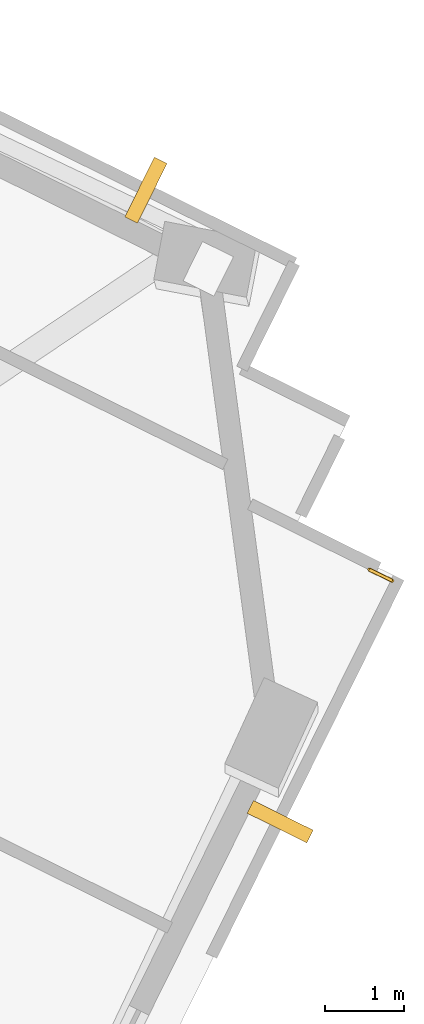
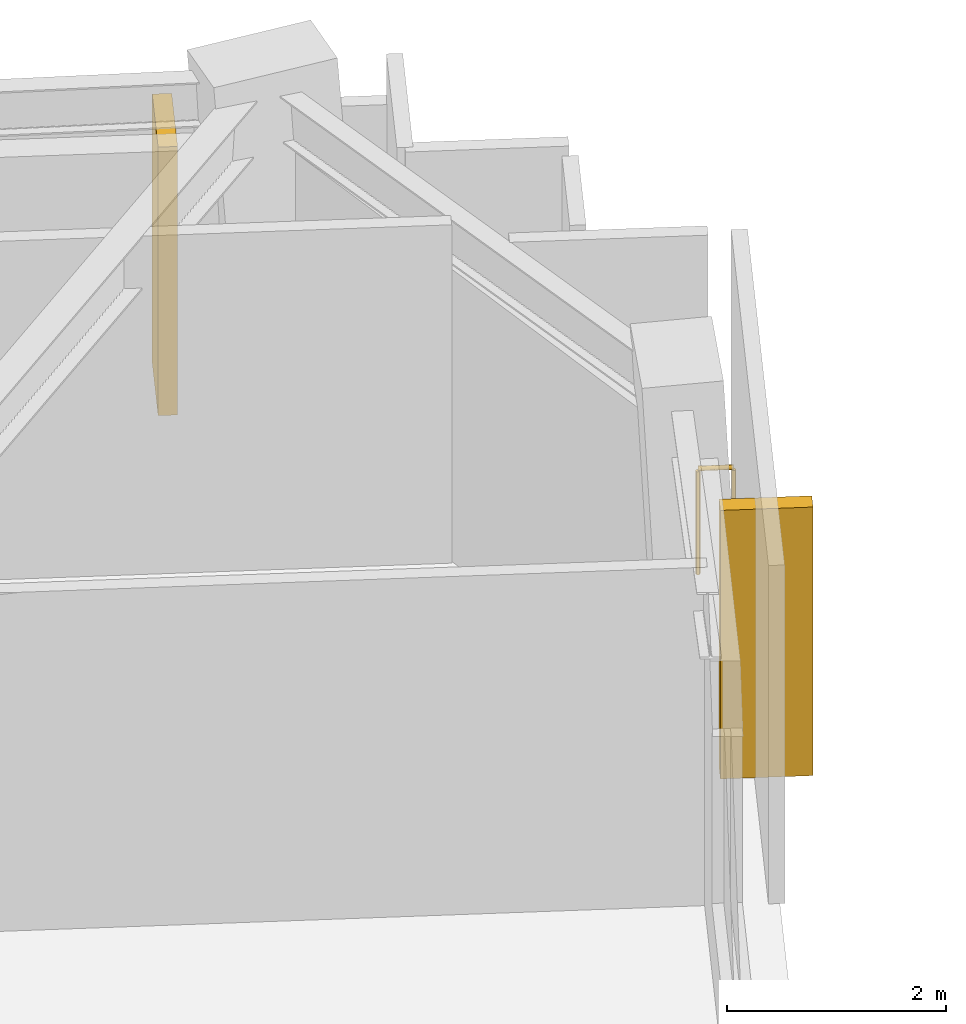
# One storey, part 11 of 11: 2 shading devices, 1 railing.
"""IFC4 building model written with IfcOpenShell, lengths in metres."""

from ifc_helpers import new_model, si_unit, direction, frame, origin, origin_2d, place, context, subcontext, project, spatial, rectangle, circle, extrude, material, layer, layer_set, type_object, element, save


model = new_model("IFC4")

# Units and contexts
model_context = context("Model", 3, precision=1e-05, world=origin(), true_north=direction((0.0, 1.0)))
body_context = subcontext(model_context, "Body", "Model", "MODEL_VIEW")
ifc_project = project(units=[si_unit("LENGTHUNIT", "METRE"), si_unit("AREAUNIT", "SQUARE_METRE"), si_unit("VOLUMEUNIT", "CUBIC_METRE"), si_unit("PLANEANGLEUNIT", "RADIAN"), si_unit("MASSUNIT", "GRAM", prefix="KILO")], contexts=[model_context])

# Site, building, storey
site_placement = place(None, origin())
site = spatial("IfcSite", under=ifc_project, at=site_placement, CompositionType="ELEMENT")
building_placement = place(site_placement, origin())
building = spatial("IfcBuilding", under=site, at=building_placement, Name="Gaonmaruhae Medical Tower", CompositionType="ELEMENT")
storey_placement = place(building_placement, frame((0.0, 0.0, 296.60009765625)))
storey = spatial("IfcBuildingStorey", under=building, at=storey_placement, Name="L71", CompositionType="ELEMENT", Elevation=296.60009765625)

# Railing
ifc_material_1 = material(Name="Stainless steel 316L and laminated safety glass", Category="steel")
ifc_layer = layer(ifc_material_1, 0.080078125)
ifc_layer_set = layer_set([ifc_layer], Name="Stainless steel 316L and laminated safety glass")
railing_type = type_object("IfcRailingType", Name="GD-120 Outdoor Terrace Safety Glass & Steel Balustrade", PredefinedType="BALUSTRADE", material=ifc_layer_set)
railing_placement = place(storey_placement, frame((59.932373046875, 27.525390625, 0.0)))
element("IfcRailing", 1, at=railing_placement, inside=storey, type_object=railing_type, Name="L71 Perimeter Slab Edge Safety Balustrade 04", PredefinedType="BALUSTRADE", context=body_context, shape_type="SweptSolid", body=[
    extrude(circle(Radius=0.02392578125, at=origin_2d()), frame((0.0, 0.0, 1.17578125), z_axis=(0.89636248132, -0.443321894431, 0.0), x_axis=(0.443321894431, 0.89636248132, 0.0)), (0.0, 0.0, 1.0), 0.32666015625),
    extrude(circle(Radius=0.02099609375, at=origin_2d()), origin(), (0.0, 0.0, 1.0), 1.15185546875),
    extrude(circle(Radius=0.02099609375, at=origin_2d()), frame((0.292724609375, -0.144775390625, 0.0)), (0.0, 0.0, 1.0), 1.15185546875),
])

# Shading devices
ifc_material_2 = material(Name="Pigmented coral precast concrete C45/55", Category="concrete")
shading_device_type = type_object("IfcShadingDeviceType", Name="SD-FIN1 Tower Vertical Coral Precast Shading Fin", PredefinedType="USERDEFINED", material=ifc_material_2)
for number, where, z_axis, x_axis, name in (
    (2, (58.79736328125, 24.31396484375, 0.13232421875), (0.0, 0.0, 1.0), (-0.443853354011, -0.896099436521, 0.0), "L71 Vertical Coral Precast Shading Fin S05"),
    (3, (57.088134765625, 32.3544921875, 0.13232421875), (0.0, 0.0, 1.0), (0.896091689682, -0.443868993829, 0.0), "L71 Vertical Coral Precast Shading Fin E01B"),
):
    element("IfcShadingDevice", number, at=place(storey_placement, frame(where, z_axis=z_axis, x_axis=x_axis)), inside=storey, type_object=shading_device_type, Name=name, ObjectType="FIN", PredefinedType="USERDEFINED", context=body_context, shape_type="SweptSolid", body=[
        extrude(rectangle(XDim=0.179931640625, YDim=0.85009765625, at=origin_2d()), origin(), (0.0, 0.0, 1.0), 3.0),
    ])

save(model, "model.ifc")
